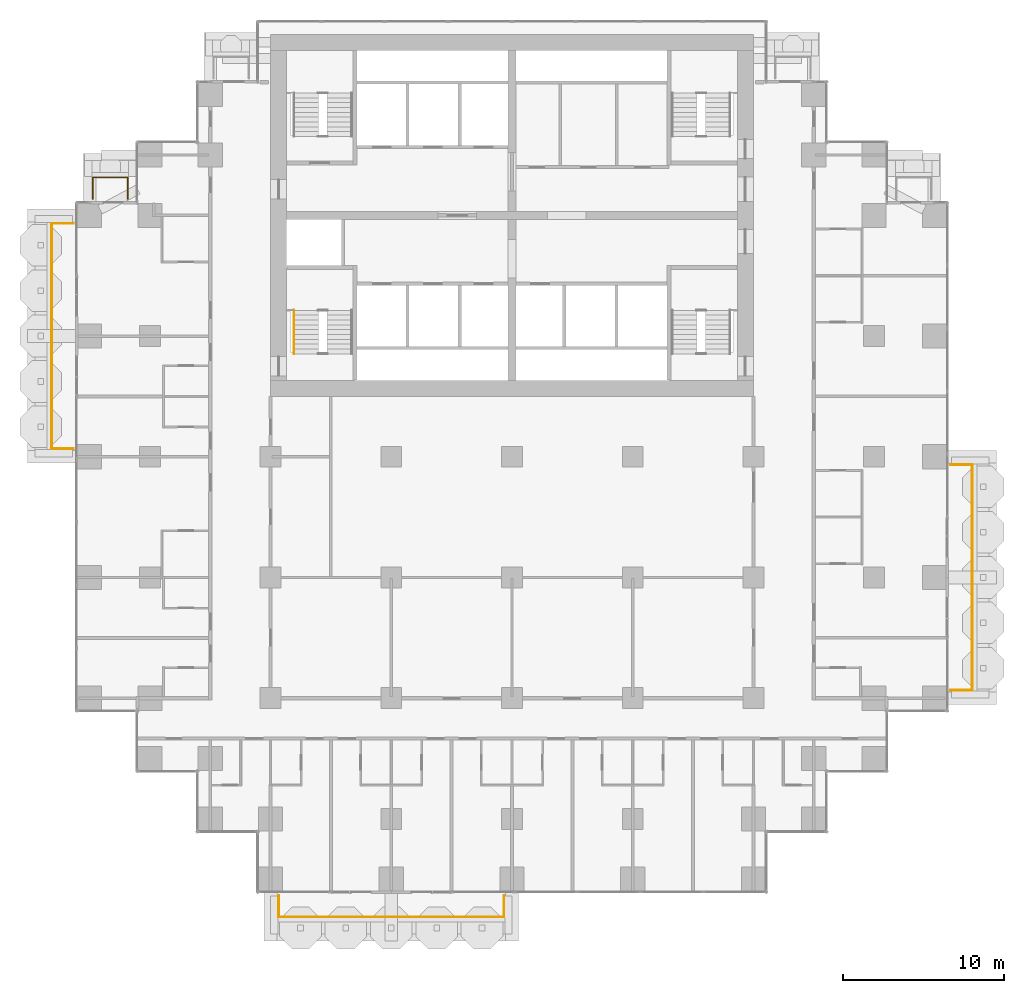
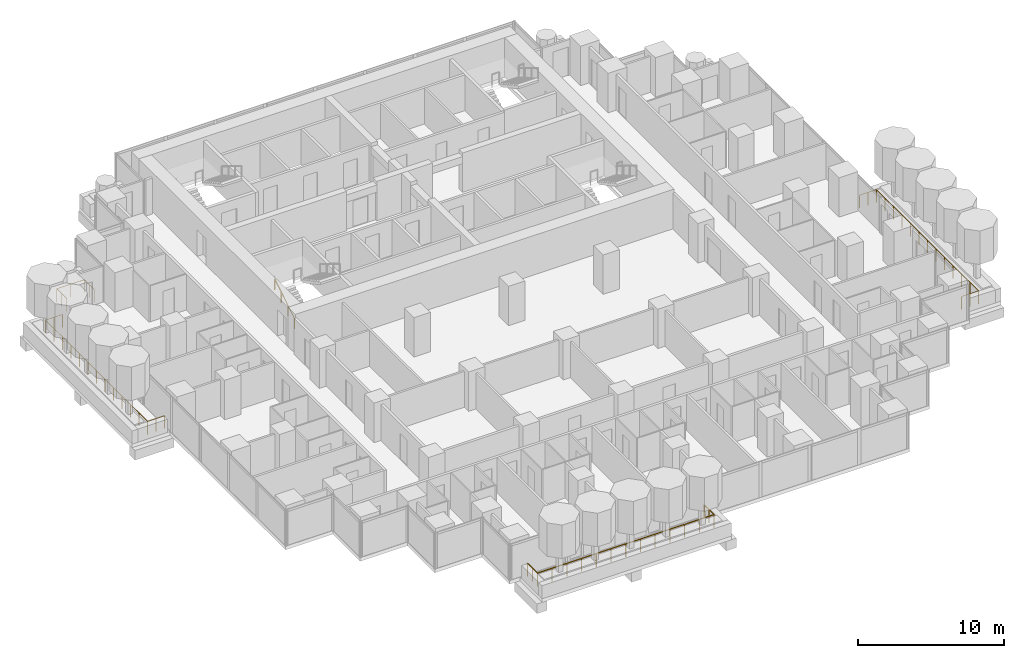
# One storey, part 17 of 19: 5 railings.
"""IFC4 building model written with IfcOpenShell, lengths in metres."""

from ifc_helpers import new_model, si_unit, direction, frame, origin, origin_2d, place, context, subcontext, project, spatial, circle, extrude, material, type_object, element, save


model = new_model("IFC4")

# Units and contexts
model_context = context("Model", 3, precision=1e-05, world=origin(), true_north=direction((0.0, 1.0)))
body_context = subcontext(model_context, "Body", "Model", "MODEL_VIEW")
ifc_project = project(units=[si_unit("LENGTHUNIT", "METRE"), si_unit("AREAUNIT", "SQUARE_METRE"), si_unit("VOLUMEUNIT", "CUBIC_METRE"), si_unit("PLANEANGLEUNIT", "RADIAN"), si_unit("MASSUNIT", "GRAM", prefix="KILO")], contexts=[model_context])

# Site, building, storey
site_placement = place(None, origin())
site = spatial("IfcSite", under=ifc_project, at=site_placement, CompositionType="ELEMENT")
building_placement = place(site_placement, origin())
building = spatial("IfcBuilding", under=site, at=building_placement, Name="Pilkhan Gate Tower", CompositionType="ELEMENT")
storey_placement = place(building_placement, frame((0.0, 0.0, 89.0)))
storey = spatial("IfcBuildingStorey", under=building, at=storey_placement, Name="L21", CompositionType="ELEMENT", Elevation=89.0)

# Railings
ifc_material_1 = material(Name="Pale anodised aluminium posts, laminated glass infill", Category="aluminium")
railing_type_1 = type_object("IfcRailingType", Name="Balcony guard G1", PredefinedType="BALUSTRADE", material=ifc_material_1)
railing_1_placement = place(storey_placement, frame((60.5, 40.25, 0.0)))
element("IfcRailing", 1, at=railing_1_placement, inside=storey, type_object=railing_type_1, Name="Balcony guard L21 S", PredefinedType="BALUSTRADE", context=body_context, shape_type="SweptSolid", body=[
    extrude(circle(Radius=0.02392578125, at=origin_2d()), frame((0.0, 0.0, 1.076171875), z_axis=(0.0, -1.0, 0.0), x_axis=(1.0, 0.0, 0.0)), (0.0, 0.0, 1.0), 1.35009765625),
    extrude(circle(Radius=0.02392578125, at=origin_2d()), frame((0.0, -1.35009765625, 1.076171875), z_axis=(1.0, 0.0, 0.0), x_axis=(0.0, 1.0, 0.0)), (0.0, 0.0, 1.0), 14.0),
    extrude(circle(Radius=0.02392578125, at=origin_2d()), frame((14.0, -1.35009765625, 1.076171875), z_axis=(0.0, 1.0, 0.0), x_axis=(-1.0, 0.0, 0.0)), (0.0, 0.0, 1.0), 1.35009765625),
    extrude(circle(Radius=0.02099609375, at=origin_2d()), origin(), (0.0, 0.0, 1.0), 1.052001953125),
    extrude(circle(Radius=0.02099609375, at=origin_2d()), frame((0.0, -0.675048828125, 0.0)), (0.0, 0.0, 1.0), 1.052001953125),
    extrude(circle(Radius=0.02099609375, at=origin_2d()), frame((0.0, -1.35009765625, 0.0)), (0.0, 0.0, 1.0), 1.052001953125),
    extrude(circle(Radius=0.02099609375, at=origin_2d()), frame((1.166748046875, -1.35009765625, 0.0)), (0.0, 0.0, 1.0), 1.052001953125),
    extrude(circle(Radius=0.02099609375, at=origin_2d()), frame((2.333251953125, -1.35009765625, 0.0)), (0.0, 0.0, 1.0), 1.052001953125),
    extrude(circle(Radius=0.02099609375, at=origin_2d()), frame((3.5, -1.35009765625, 0.0)), (0.0, 0.0, 1.0), 1.052001953125),
    extrude(circle(Radius=0.02099609375, at=origin_2d()), frame((4.666748046875, -1.35009765625, 0.0)), (0.0, 0.0, 1.0), 1.052001953125),
    extrude(circle(Radius=0.02099609375, at=origin_2d()), frame((5.833251953125, -1.35009765625, 0.0)), (0.0, 0.0, 1.0), 1.052001953125),
    extrude(circle(Radius=0.02099609375, at=origin_2d()), frame((7.0, -1.35009765625, 0.0)), (0.0, 0.0, 1.0), 1.052001953125),
    extrude(circle(Radius=0.02099609375, at=origin_2d()), frame((8.166748046875, -1.35009765625, 0.0)), (0.0, 0.0, 1.0), 1.052001953125),
    extrude(circle(Radius=0.02099609375, at=origin_2d()), frame((9.333251953125, -1.35009765625, 0.0)), (0.0, 0.0, 1.0), 1.052001953125),
    extrude(circle(Radius=0.02099609375, at=origin_2d()), frame((10.5, -1.35009765625, 0.0)), (0.0, 0.0, 1.0), 1.052001953125),
    extrude(circle(Radius=0.02099609375, at=origin_2d()), frame((11.666748046875, -1.35009765625, 0.0)), (0.0, 0.0, 1.0), 1.052001953125),
    extrude(circle(Radius=0.02099609375, at=origin_2d()), frame((12.833251953125, -1.35009765625, 0.0)), (0.0, 0.0, 1.0), 1.052001953125),
    extrude(circle(Radius=0.02099609375, at=origin_2d()), frame((14.0, -1.35009765625, 0.0)), (0.0, 0.0, 1.0), 1.052001953125),
    extrude(circle(Radius=0.02099609375, at=origin_2d()), frame((14.0, -0.675048828125, 0.0)), (0.0, 0.0, 1.0), 1.052001953125),
    extrude(circle(Radius=0.02099609375, at=origin_2d()), frame((14.0, 0.0, 0.0)), (0.0, 0.0, 1.0), 1.052001953125),
])
railing_2_placement = place(storey_placement, frame((102.25, 53.0, 0.0)))
element("IfcRailing", 2, at=railing_2_placement, inside=storey, type_object=railing_type_1, Name="Balcony guard L21 E", PredefinedType="BALUSTRADE", context=body_context, shape_type="SweptSolid", body=[
    extrude(circle(Radius=0.02392578125, at=origin_2d()), frame((0.0, 0.0, 1.076171875), z_axis=(1.0, 0.0, 0.0), x_axis=(0.0, 1.0, 0.0)), (0.0, 0.0, 1.0), 1.35009765625),
    extrude(circle(Radius=0.02392578125, at=origin_2d()), frame((1.35009765625, 0.0, 1.076171875), z_axis=(0.0, 1.0, 0.0), x_axis=(-1.0, 0.0, 0.0)), (0.0, 0.0, 1.0), 14.0),
    extrude(circle(Radius=0.02392578125, at=origin_2d()), frame((1.35009765625, 14.0, 1.076171875), z_axis=(-1.0, 0.0, 0.0), x_axis=(0.0, -1.0, 0.0)), (0.0, 0.0, 1.0), 1.35009765625),
    extrude(circle(Radius=0.02099609375, at=origin_2d()), origin(), (0.0, 0.0, 1.0), 1.052001953125),
    extrude(circle(Radius=0.02099609375, at=origin_2d()), frame((0.675048828125, 0.0, 0.0)), (0.0, 0.0, 1.0), 1.052001953125),
    extrude(circle(Radius=0.02099609375, at=origin_2d()), frame((1.35009765625, 0.0, 0.0)), (0.0, 0.0, 1.0), 1.052001953125),
    extrude(circle(Radius=0.02099609375, at=origin_2d()), frame((1.35009765625, 1.166748046875, 0.0)), (0.0, 0.0, 1.0), 1.052001953125),
    extrude(circle(Radius=0.02099609375, at=origin_2d()), frame((1.35009765625, 2.333251953125, 0.0)), (0.0, 0.0, 1.0), 1.052001953125),
    extrude(circle(Radius=0.02099609375, at=origin_2d()), frame((1.35009765625, 3.5, 0.0)), (0.0, 0.0, 1.0), 1.052001953125),
    extrude(circle(Radius=0.02099609375, at=origin_2d()), frame((1.35009765625, 4.666748046875, 0.0)), (0.0, 0.0, 1.0), 1.052001953125),
    extrude(circle(Radius=0.02099609375, at=origin_2d()), frame((1.35009765625, 5.833251953125, 0.0)), (0.0, 0.0, 1.0), 1.052001953125),
    extrude(circle(Radius=0.02099609375, at=origin_2d()), frame((1.35009765625, 7.0, 0.0)), (0.0, 0.0, 1.0), 1.052001953125),
    extrude(circle(Radius=0.02099609375, at=origin_2d()), frame((1.35009765625, 8.166748046875, 0.0)), (0.0, 0.0, 1.0), 1.052001953125),
    extrude(circle(Radius=0.02099609375, at=origin_2d()), frame((1.35009765625, 9.333251953125, 0.0)), (0.0, 0.0, 1.0), 1.052001953125),
    extrude(circle(Radius=0.02099609375, at=origin_2d()), frame((1.35009765625, 10.5, 0.0)), (0.0, 0.0, 1.0), 1.052001953125),
    extrude(circle(Radius=0.02099609375, at=origin_2d()), frame((1.35009765625, 11.666748046875, 0.0)), (0.0, 0.0, 1.0), 1.052001953125),
    extrude(circle(Radius=0.02099609375, at=origin_2d()), frame((1.35009765625, 12.833251953125, 0.0)), (0.0, 0.0, 1.0), 1.052001953125),
    extrude(circle(Radius=0.02099609375, at=origin_2d()), frame((1.35009765625, 14.0, 0.0)), (0.0, 0.0, 1.0), 1.052001953125),
    extrude(circle(Radius=0.02099609375, at=origin_2d()), frame((0.675048828125, 14.0, 0.0)), (0.0, 0.0, 1.0), 1.052001953125),
    extrude(circle(Radius=0.02099609375, at=origin_2d()), frame((0.0, 14.0, 0.0)), (0.0, 0.0, 1.0), 1.052001953125),
])
railing_3_placement = place(storey_placement, frame((48.949951171875, 83.52001953125, 0.0)))
element("IfcRailing", 3, at=railing_3_placement, inside=storey, type_object=railing_type_1, Name="Balcony guard L21 N", PredefinedType="BALUSTRADE", context=body_context, shape_type="SweptSolid", body=[
    extrude(circle(Radius=0.02392578125, at=origin_2d()), frame((0.0, 0.0, 1.076171875), z_axis=(0.0, 1.0, 0.0), x_axis=(-1.0, 0.0, 0.0)), (0.0, 0.0, 1.0), 1.330078125),
    extrude(circle(Radius=0.02392578125, at=origin_2d()), frame((0.0, 1.330078125, 1.076171875), z_axis=(1.0, 0.0, 0.0), x_axis=(0.0, 1.0, 0.0)), (0.0, 0.0, 1.0), 2.179931640625),
    extrude(circle(Radius=0.02392578125, at=origin_2d()), frame((2.179931640625, 1.330078125, 1.076171875), z_axis=(0.0, -1.0, 0.0), x_axis=(1.0, 0.0, 0.0)), (0.0, 0.0, 1.0), 1.330078125),
    extrude(circle(Radius=0.02099609375, at=origin_2d()), origin(), (0.0, 0.0, 1.0), 1.052001953125),
    extrude(circle(Radius=0.02099609375, at=origin_2d()), frame((0.0, 0.6650390625, 0.0)), (0.0, 0.0, 1.0), 1.052001953125),
    extrude(circle(Radius=0.02099609375, at=origin_2d()), frame((0.0, 1.330078125, 0.0)), (0.0, 0.0, 1.0), 1.052001953125),
    extrude(circle(Radius=0.02099609375, at=origin_2d()), frame((1.08984375, 1.330078125, 0.0)), (0.0, 0.0, 1.0), 1.052001953125),
    extrude(circle(Radius=0.02099609375, at=origin_2d()), frame((2.179931640625, 1.330078125, 0.0)), (0.0, 0.0, 1.0), 1.052001953125),
    extrude(circle(Radius=0.02099609375, at=origin_2d()), frame((2.179931640625, 0.6650390625, 0.0)), (0.0, 0.0, 1.0), 1.052001953125),
    extrude(circle(Radius=0.02099609375, at=origin_2d()), frame((2.179931640625, 0.0, 0.0)), (0.0, 0.0, 1.0), 1.052001953125),
])
railing_4_placement = place(storey_placement, frame((47.75, 68.0, 0.0)))
element("IfcRailing", 4, at=railing_4_placement, inside=storey, type_object=railing_type_1, Name="Balcony guard L21 W", PredefinedType="BALUSTRADE", context=body_context, shape_type="SweptSolid", body=[
    extrude(circle(Radius=0.02392578125, at=origin_2d()), frame((0.0, 0.0, 1.076171875), z_axis=(-1.0, 0.0, 0.0), x_axis=(0.0, -1.0, 0.0)), (0.0, 0.0, 1.0), 1.35009765625),
    extrude(circle(Radius=0.02392578125, at=origin_2d()), frame((-1.35009765625, 0.0, 1.076171875), z_axis=(0.0, 1.0, 0.0), x_axis=(-1.0, 0.0, 0.0)), (0.0, 0.0, 1.0), 14.0),
    extrude(circle(Radius=0.02392578125, at=origin_2d()), frame((-1.35009765625, 14.0, 1.076171875), z_axis=(1.0, 0.0, 0.0), x_axis=(0.0, 1.0, 0.0)), (0.0, 0.0, 1.0), 1.35009765625),
    extrude(circle(Radius=0.02099609375, at=origin_2d()), origin(), (0.0, 0.0, 1.0), 1.052001953125),
    extrude(circle(Radius=0.02099609375, at=origin_2d()), frame((-0.675048828125, 0.0, 0.0)), (0.0, 0.0, 1.0), 1.052001953125),
    extrude(circle(Radius=0.02099609375, at=origin_2d()), frame((-1.35009765625, 0.0, 0.0)), (0.0, 0.0, 1.0), 1.052001953125),
    extrude(circle(Radius=0.02099609375, at=origin_2d()), frame((-1.35009765625, 1.166748046875, 0.0)), (0.0, 0.0, 1.0), 1.052001953125),
    extrude(circle(Radius=0.02099609375, at=origin_2d()), frame((-1.35009765625, 2.333251953125, 0.0)), (0.0, 0.0, 1.0), 1.052001953125),
    extrude(circle(Radius=0.02099609375, at=origin_2d()), frame((-1.35009765625, 3.5, 0.0)), (0.0, 0.0, 1.0), 1.052001953125),
    extrude(circle(Radius=0.02099609375, at=origin_2d()), frame((-1.35009765625, 4.666748046875, 0.0)), (0.0, 0.0, 1.0), 1.052001953125),
    extrude(circle(Radius=0.02099609375, at=origin_2d()), frame((-1.35009765625, 5.833251953125, 0.0)), (0.0, 0.0, 1.0), 1.052001953125),
    extrude(circle(Radius=0.02099609375, at=origin_2d()), frame((-1.35009765625, 7.0, 0.0)), (0.0, 0.0, 1.0), 1.052001953125),
    extrude(circle(Radius=0.02099609375, at=origin_2d()), frame((-1.35009765625, 8.166748046875, 0.0)), (0.0, 0.0, 1.0), 1.052001953125),
    extrude(circle(Radius=0.02099609375, at=origin_2d()), frame((-1.35009765625, 9.333251953125, 0.0)), (0.0, 0.0, 1.0), 1.052001953125),
    extrude(circle(Radius=0.02099609375, at=origin_2d()), frame((-1.35009765625, 10.5, 0.0)), (0.0, 0.0, 1.0), 1.052001953125),
    extrude(circle(Radius=0.02099609375, at=origin_2d()), frame((-1.35009765625, 11.666748046875, 0.0)), (0.0, 0.0, 1.0), 1.052001953125),
    extrude(circle(Radius=0.02099609375, at=origin_2d()), frame((-1.35009765625, 12.833251953125, 0.0)), (0.0, 0.0, 1.0), 1.052001953125),
    extrude(circle(Radius=0.02099609375, at=origin_2d()), frame((-1.35009765625, 14.0, 0.0)), (0.0, 0.0, 1.0), 1.052001953125),
    extrude(circle(Radius=0.02099609375, at=origin_2d()), frame((-0.675048828125, 14.0, 0.0)), (0.0, 0.0, 1.0), 1.052001953125),
    extrude(circle(Radius=0.02099609375, at=origin_2d()), frame((0.0, 14.0, 0.0)), (0.0, 0.0, 1.0), 1.052001953125),
])
ifc_material_2 = material(Name="Black powder-coated steel tube", Category="steel")
railing_type_2 = type_object("IfcRailingType", Name="Stair handrail HR1", PredefinedType="HANDRAIL", material=ifc_material_2)
railing_5_placement = place(storey_placement, frame((61.449951171875, 73.89990234375, 0.0)))
element("IfcRailing", 5, at=railing_5_placement, inside=storey, type_object=railing_type_2, Name="Stair ST2 handrail L21", PredefinedType="HANDRAIL", context=body_context, shape_type="SweptSolid", body=[
    extrude(circle(Radius=0.02392578125, at=origin_2d()), frame((0.0, 0.0, 0.8759765625), z_axis=(0.0, 0.853312346642, 0.521400075823), x_axis=(-1.0, 0.0, 0.0)), (0.0, 0.0, 1.0), 3.164306640625),
    extrude(circle(Radius=0.02099609375, at=origin_2d()), origin(), (0.0, 0.0, 1.0), 0.851806640625),
    extrude(circle(Radius=0.02099609375, at=origin_2d()), frame((0.0, 0.900146484375, 0.550048828125)), (0.0, 0.0, 1.0), 0.851806640625),
    extrude(circle(Radius=0.02099609375, at=origin_2d()), frame((0.0, 1.800048828125, 1.099853515625)), (0.0, 0.0, 1.0), 0.851806640625),
    extrude(circle(Radius=0.02099609375, at=origin_2d()), frame((0.0, 2.7001953125, 1.64990234375)), (0.0, 0.0, 1.0), 0.851806640625),
])

save(model, "model.ifc")
